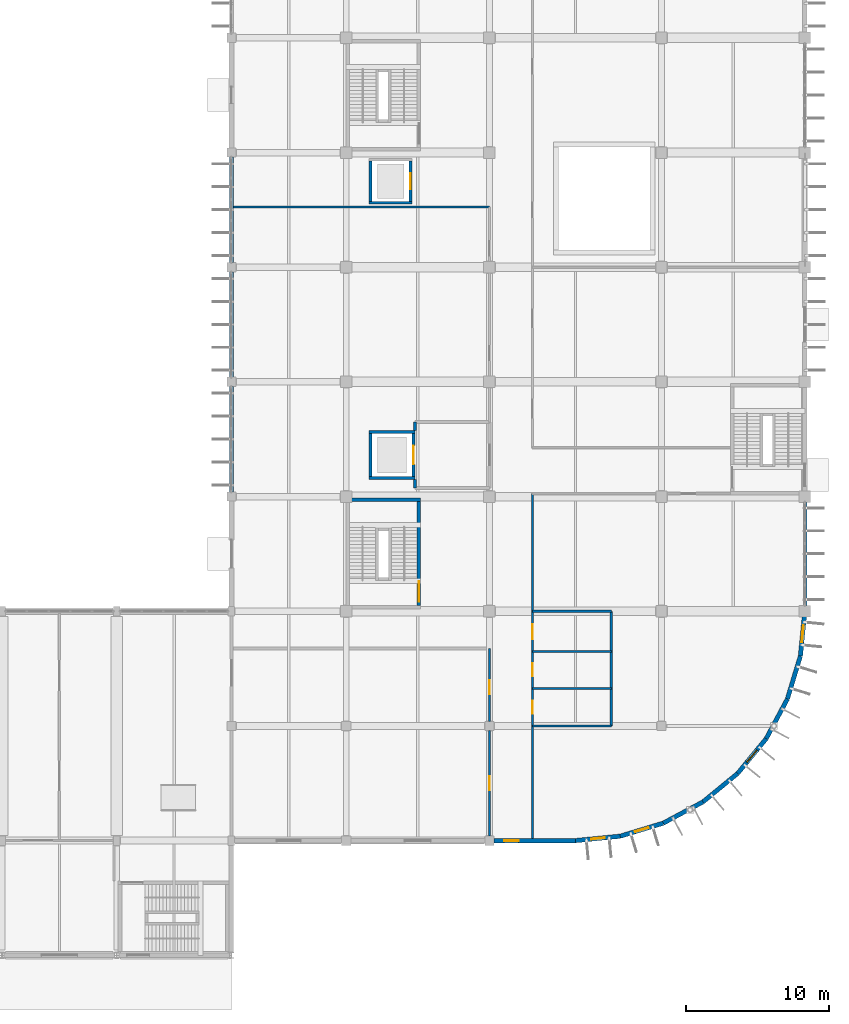
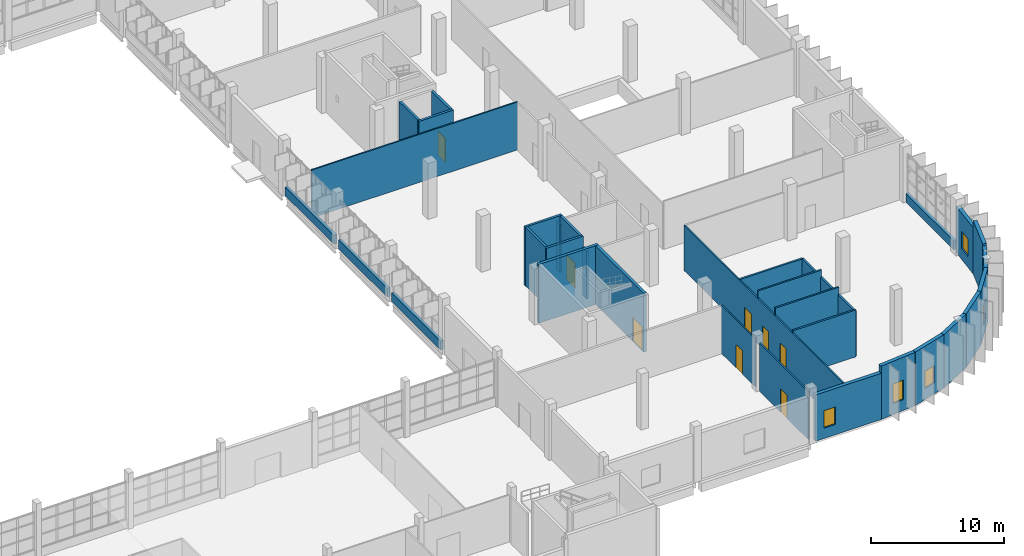
# One storey, part 80 of 103: 33 walls, 8 doors, 5 windows, 13 openings.
"""IFC4 building model written with IfcOpenShell, lengths in metres."""

from ifc_helpers import new_model, si_unit, direction, frame, frame_2d, origin, place, context, subcontext, project, spatial, rectangle, extrude, material, layer, layer_set, type_object, element, fill, save


model = new_model("IFC4")

# Units and contexts
model_context = context("Model", 3, precision=1e-05, world=origin(), true_north=direction((0.0, 1.0)))
body_context = subcontext(model_context, "Body", "Model", "MODEL_VIEW")
ifc_project = project(units=[si_unit("LENGTHUNIT", "METRE"), si_unit("AREAUNIT", "SQUARE_METRE"), si_unit("VOLUMEUNIT", "CUBIC_METRE"), si_unit("PLANEANGLEUNIT", "RADIAN"), si_unit("MASSUNIT", "GRAM", prefix="KILO")], contexts=[model_context])

# Site, building, storey
site_placement = place(None, origin())
site = spatial("IfcSite", under=ifc_project, at=site_placement, CompositionType="ELEMENT")
building_placement = place(site_placement, origin())
building = spatial("IfcBuilding", under=site, at=building_placement, Name="Drelvana Railside Aquatics Centre", CompositionType="ELEMENT")
storey_placement = place(building_placement, origin())
storey = spatial("IfcBuildingStorey", under=building, at=storey_placement, Name="L00", CompositionType="ELEMENT", Elevation=0.0)

# Walls
ifc_material_1 = material(Name="Concrete blockwork compartment wall", Category="masonry")
ifc_layer_1 = layer(ifc_material_1, 0.18505859375, Name="Concrete blockwork compartment wall")
ifc_layer_set_1 = layer_set([ifc_layer_1], Name="Concrete blockwork compartment wall")
wall_type_1 = type_object("IfcWallType", Name="WL-COMP-185", PredefinedType="STANDARD", material=ifc_layer_set_1)
for number, where, z_axis, x_axis, name in (
    (1, (156.800048828125, 32.60009765625, 0.0), (0.0, 0.0, 1.0), (0.0, 1.0, 0.0), "Firefighting lobby FL-01 SHS wall (L00)"),
    (2, (156.800048828125, 36.60009765625, 0.0), (0.0, 0.0, 1.0), (0.0, 1.0, 0.0), "Firefighting lobby FL-01 SHN wall (L00)"),
):
    element("IfcWall", number, at=place(storey_placement, frame(where, z_axis=z_axis, x_axis=x_axis)), inside=storey, type_object=wall_type_1, Name=name, PredefinedType="STANDARD", context=body_context, shape_type="SweptSolid", body=[
        extrude(rectangle(XDim=0.599853515625, YDim=0.18505859375, at=frame_2d((0.2998046875, 0.0))), origin(), (0.0, 0.0, 1.0), 4.405029296875),
    ])
ifc_material_2 = material(Name="Concrete C40/50", Category="concrete")
ifc_layer_2 = layer(ifc_material_2, 0.25, Name="Concrete C40/50")
ifc_layer_set_2 = layer_set([ifc_layer_2], Name="Concrete C40/50")
wall_type_2 = type_object("IfcWallType", Name="WL-CORE-250", PredefinedType="SHEAR", material=ifc_layer_set_2)
wall_1_placement = place(storey_placement, frame((152.0, 31.77490234375, 0.0), z_axis=(0.0, 0.0, 1.0), x_axis=(1.0, 0.0, 0.0)))
element("IfcWall", 3, at=wall_1_placement, inside=storey, type_object=wall_type_2, Name="Core 6 Federation Wing Court-West N core wall (L00)", PredefinedType="SHEAR", context=body_context, shape_type="SweptSolid", body=[
    extrude(rectangle(XDim=5.199951171875, YDim=0.25, at=frame_2d((2.60009765625, 0.0))), origin(), (0.0, 0.0, 1.0), 5.39990234375),
])

# Wall, opening, door
wall_2_placement = place(storey_placement, frame((157.074951171875, 24.409912109375, 0.0), z_axis=(0.0, 0.0, 1.0), x_axis=(0.0, 1.0, 0.0)))
wall_2 = element("IfcWall", 4, at=wall_2_placement, inside=storey, type_object=wall_type_2, Name="Core 6 Federation Wing Court-West E core wall (L00)", PredefinedType="SHEAR", context=body_context, shape_type="SweptSolid", body=[
    extrude(rectangle(XDim=7.239990234375, YDim=0.25, at=frame_2d((3.6201171875, 0.0))), origin(), (0.0, 0.0, 1.0), 5.39990234375),
])
opening_1_placement = place(wall_2_placement, frame((0.25, 0.0, 0.0)))
opening_1 = element("IfcOpeningElement", 5, at=opening_1_placement, cuts=wall_2, Name="Opening D-01-036", PredefinedType="OPENING", context=body_context, shape_type="SweptSolid", body=[
    extrude(rectangle(XDim=1.449951171875, YDim=2.199951171875, at=frame_2d((0.72509765625, 1.10009765625))), frame((0.0, 0.135009765625, 0.0), z_axis=(0.0, -1.0, 0.0), x_axis=(1.0, 0.0, 0.0)), (0.0, 0.0, 1.0), 0.27001953125),
])
ifc_material_3 = material(Name="Fire-rated steel and vision-panel door", Category="steel")
door_type_1 = type_object("IfcDoorType", Name="DR-INT-STAIR-1450x2200", OperationType="DOUBLE_DOOR_SINGLE_SWING", PredefinedType="DOOR", material=ifc_material_3)
door_1_placement = place(opening_1_placement, origin())
door_1 = element("IfcDoor", 6, at=door_1_placement, inside=storey, type_object=door_type_1, Name="Stair ST-06 lobby door D-01-036", OperationType="DOUBLE_DOOR_SINGLE_SWING", OverallHeight=2.199951171875, OverallWidth=1.449951171875, PredefinedType="DOOR", context=body_context, shape_type="SweptSolid", body=[
    extrude(rectangle(XDim=1.449951171875, YDim=2.199951171875, at=frame_2d((0.72509765625, 1.10009765625))), frame((0.0, 0.02490234375, 0.0), z_axis=(0.0, -1.0, 0.0), x_axis=(1.0, 0.0, 0.0)), (0.0, 0.0, 1.0), 0.050048828125),
])
fill(opening_1, door_1)

ifc_material_4 = material(Name="Acoustic twin-stud gypsum partition", Category="gypsum")
ifc_layer_3 = layer(ifc_material_4, 0.1201171875, Name="Acoustic twin-stud gypsum partition")
ifc_layer_set_3 = layer_set([ifc_layer_3], Name="Acoustic twin-stud gypsum partition")
wall_type_3 = type_object("IfcWallType", Name="WL-DRY-120", PredefinedType="PARTITIONING", material=ifc_layer_set_3)
wall_3_placement = place(storey_placement, frame((162.0, 8.326904296875, 0.0), z_axis=(0.0, 0.0, 1.0), x_axis=(0.0, 1.0, 0.0)))
wall_3 = element("IfcWall", 7, at=wall_3_placement, inside=storey, type_object=wall_type_3, Name="V5 L00 west corridor wall", PredefinedType="PARTITIONING", context=body_context, shape_type="SweptSolid", body=[
    extrude(rectangle(XDim=7.34619140625, YDim=0.1201171875, at=frame_2d((3.673095703125, 0.0))), origin(), (0.0, 0.0, 1.0), 4.405029296875),
])
opening_2_placement = place(wall_3_placement, frame((3.173095703125, 0.0, 0.0)))
opening_2 = element("IfcOpeningElement", 8, at=opening_2_placement, cuts=wall_3, Name="Opening D-09-192", PredefinedType="OPENING", context=body_context, shape_type="SweptSolid", body=[
    extrude(rectangle(XDim=1.0, YDim=2.14990234375, at=frame_2d((0.5, 1.074951171875))), frame((0.0, 0.070068359375, 0.0), z_axis=(0.0, -1.0, 0.0), x_axis=(1.0, 0.0, 0.0)), (0.0, 0.0, 1.0), 0.14013671875),
])
ifc_material_5 = material(Name="Hardwood acoustic room door", Category="wood")
door_type_2 = type_object("IfcDoorType", Name="DR-INT-ROOM-1000x2150", OperationType="NOTDEFINED", PredefinedType="DOOR", material=ifc_material_5)
door_2_placement = place(opening_2_placement, origin())
door_2 = element("IfcDoor", 9, at=door_2_placement, inside=storey, type_object=door_type_2, Name="Sports medicine reception south door D-09-192", OperationType="SINGLE_SWING_RIGHT", OverallHeight=2.14990234375, OverallWidth=1.0, PredefinedType="DOOR", context=body_context, shape_type="SweptSolid", body=[
    extrude(rectangle(XDim=1.0, YDim=2.14990234375, at=frame_2d((0.5, 1.074951171875))), frame((0.0, 0.02490234375, 0.0), z_axis=(0.0, -1.0, 0.0), x_axis=(1.0, 0.0, 0.0)), (0.0, 0.0, 1.0), 0.050048828125),
])
fill(opening_2, door_2)

wall_4_placement = place(storey_placement, frame((162.0, 16.326904296875, 0.0), z_axis=(0.0, 0.0, 1.0), x_axis=(0.0, 1.0, 0.0)))
wall_4 = element("IfcWall", 10, at=wall_4_placement, inside=storey, type_object=wall_type_3, Name="V5 L00 west corridor wall", PredefinedType="PARTITIONING", context=body_context, shape_type="SweptSolid", body=[
    extrude(rectangle(XDim=5.072998046875, YDim=0.1201171875, at=frame_2d((2.53662109375, 0.0))), origin(), (0.0, 0.0, 1.0), 4.405029296875),
])
opening_3_placement = place(wall_4_placement, frame((1.873046875, 0.0, 0.0)))
opening_3 = element("IfcOpeningElement", 11, at=opening_3_placement, cuts=wall_4, Name="Opening D-09-193", PredefinedType="OPENING", context=body_context, shape_type="SweptSolid", body=[
    extrude(rectangle(XDim=1.0, YDim=2.14990234375, at=frame_2d((0.5, 1.074951171875))), frame((0.0, 0.070068359375, 0.0), z_axis=(0.0, -1.0, 0.0), x_axis=(1.0, 0.0, 0.0)), (0.0, 0.0, 1.0), 0.14013671875),
])
door_3_placement = place(opening_3_placement, origin())
door_3 = element("IfcDoor", 12, at=door_3_placement, inside=storey, type_object=door_type_2, Name="Sports medicine reception north door D-09-193", OperationType="SINGLE_SWING_LEFT", OverallHeight=2.14990234375, OverallWidth=1.0, PredefinedType="DOOR", context=body_context, shape_type="SweptSolid", body=[
    extrude(rectangle(XDim=1.0, YDim=2.14990234375, at=frame_2d((0.5, 1.074951171875))), frame((0.0, 0.02490234375, 0.0), z_axis=(0.0, -1.0, 0.0), x_axis=(1.0, 0.0, 0.0)), (0.0, 0.0, 1.0), 0.050048828125),
])
fill(opening_3, door_3)

# Wall
wall_5_placement = place(storey_placement, frame((144.14990234375, 52.199951171875, 0.0), z_axis=(0.0, 0.0, 1.0), x_axis=(1.0, 0.0, 0.0)))
element("IfcWall", 13, at=wall_5_placement, inside=storey, type_object=wall_type_3, Name="V5 L00 LP-04 alcove S wall", PredefinedType="PARTITIONING", context=body_context, shape_type="SweptSolid", body=[
    extrude(rectangle(XDim=17.85009765625, YDim=0.1201171875, at=frame_2d((8.925048828125, 0.0))), origin(), (0.0, 0.0, 1.0), 4.405029296875),
])

# Wall, openings, doors
wall_6_placement = place(storey_placement, frame((165.0, 8.14990234375, 0.0), z_axis=(0.0, 0.0, 1.0), x_axis=(0.0, 1.0, 0.0)))
wall_6 = element("IfcWall", 14, at=wall_6_placement, inside=storey, type_object=wall_type_3, Name="V5 L00 east corridor wall", PredefinedType="PARTITIONING", context=body_context, shape_type="SweptSolid", body=[
    extrude(rectangle(XDim=24.050048828125, YDim=0.1201171875, at=frame_2d((12.02490234375, 0.0))), origin(), (0.0, 0.0, 1.0), 4.155029296875),
])
opening_4_placement = place(wall_6_placement, frame((8.699951171875, 0.0, 0.0)))
opening_4 = element("IfcOpeningElement", 15, at=opening_4_placement, cuts=wall_6, Name="Opening D-11-200", PredefinedType="OPENING", context=body_context, shape_type="SweptSolid", body=[
    extrude(rectangle(XDim=0.919921875, YDim=2.10009765625, at=frame_2d((0.4599609375, 1.050048828125))), frame((0.0, 0.070068359375, 0.0), z_axis=(0.0, -1.0, 0.0), x_axis=(1.0, 0.0, 0.0)), (0.0, 0.0, 1.0), 0.14013671875),
])
opening_5_placement = place(wall_6_placement, frame((11.300048828125, 0.0, 0.0)))
opening_5 = element("IfcOpeningElement", 16, at=opening_5_placement, cuts=wall_6, Name="Opening D-11-201", PredefinedType="OPENING", context=body_context, shape_type="SweptSolid", body=[
    extrude(rectangle(XDim=0.919921875, YDim=2.10009765625, at=frame_2d((0.4599609375, 1.050048828125))), frame((0.0, 0.070068359375, 0.0), z_axis=(0.0, -1.0, 0.0), x_axis=(1.0, 0.0, 0.0)), (0.0, 0.0, 1.0), 0.14013671875),
])
opening_6_placement = place(wall_6_placement, frame((13.89990234375, 0.0, 0.0)))
opening_6 = element("IfcOpeningElement", 17, at=opening_6_placement, cuts=wall_6, Name="Opening D-12-202", PredefinedType="OPENING", context=body_context, shape_type="SweptSolid", body=[
    extrude(rectangle(XDim=1.050048828125, YDim=2.14990234375, at=frame_2d((0.52490234375, 1.074951171875))), frame((0.0, 0.070068359375, 0.0), z_axis=(0.0, -1.0, 0.0), x_axis=(1.0, 0.0, 0.0)), (0.0, 0.0, 1.0), 0.14013671875),
])
ifc_material_6 = material(Name="Accessible toilet outward-opening door", Category="wood")
door_type_3 = type_object("IfcDoorType", Name="DR-INT-AWC-1050x2150", OperationType="NOTDEFINED", PredefinedType="DOOR", material=ifc_material_6)
door_4_placement = place(opening_6_placement, origin())
door_4 = element("IfcDoor", 18, at=door_4_placement, inside=storey, type_object=door_type_3, Name="L00 Accessible WC door D-12-202", OperationType="SINGLE_SWING_RIGHT", OverallHeight=2.14990234375, OverallWidth=1.050048828125, PredefinedType="DOOR", context=body_context, shape_type="SweptSolid", body=[
    extrude(rectangle(XDim=1.050048828125, YDim=2.14990234375, at=frame_2d((0.52490234375, 1.074951171875))), frame((0.0, 0.02490234375, 0.0), z_axis=(0.0, -1.0, 0.0), x_axis=(1.0, 0.0, 0.0)), (0.0, 0.0, 1.0), 0.050048828125),
])
fill(opening_6, door_4)
ifc_material_7 = material(Name="Moisture-resistant laminate WC door", Category="wood")
door_type_4 = type_object("IfcDoorType", Name="DR-INT-WC-920x2100", OperationType="NOTDEFINED", PredefinedType="DOOR", material=ifc_material_7)
door_5_placement = place(opening_4_placement, origin())
door_5 = element("IfcDoor", 19, at=door_5_placement, inside=storey, type_object=door_type_4, Name="L00 Male WC door D-11-200", OperationType="SINGLE_SWING_RIGHT", OverallHeight=2.10009765625, OverallWidth=0.919921875, PredefinedType="DOOR", context=body_context, shape_type="SweptSolid", body=[
    extrude(rectangle(XDim=0.919921875, YDim=2.10009765625, at=frame_2d((0.4599609375, 1.050048828125))), frame((0.0, 0.02490234375, 0.0), z_axis=(0.0, -1.0, 0.0), x_axis=(1.0, 0.0, 0.0)), (0.0, 0.0, 1.0), 0.050048828125),
])
fill(opening_4, door_5)
door_6_placement = place(opening_5_placement, origin())
door_6 = element("IfcDoor", 20, at=door_6_placement, inside=storey, type_object=door_type_4, Name="L00 Female WC door D-11-201", OperationType="SINGLE_SWING_LEFT", OverallHeight=2.10009765625, OverallWidth=0.919921875, PredefinedType="DOOR", context=body_context, shape_type="SweptSolid", body=[
    extrude(rectangle(XDim=0.919921875, YDim=2.10009765625, at=frame_2d((0.4599609375, 1.050048828125))), frame((0.0, 0.02490234375, 0.0), z_axis=(0.0, -1.0, 0.0), x_axis=(1.0, 0.0, 0.0)), (0.0, 0.0, 1.0), 0.050048828125),
])
fill(opening_5, door_6)

# Walls
ifc_material_8 = material(Name="Glazed ceramic spandrel wall", Category="masonry")
ifc_layer_4 = layer(ifc_material_8, 0.27001953125, Name="Glazed ceramic spandrel wall")
ifc_layer_set_4 = layer_set([ifc_layer_4], Name="Glazed ceramic spandrel wall")
wall_type_4 = type_object("IfcWallType", Name="WL-EXT-270", PredefinedType="STANDARD", material=ifc_layer_set_4)
for number, where, z_axis, x_axis, name in (
    (21, (144.0, 32.321044921875, 0.0), (0.0, 0.0, 1.0), (0.0, 1.0, 0.0), "V5 West L00 sill spandrel"),
    (22, (144.0, 40.321044921875, 0.0), (0.0, 0.0, 1.0), (0.0, 1.0, 0.0), "V5 West L00 sill spandrel"),
    (23, (144.0, 48.321044921875, 0.0), (0.0, 0.0, 1.0), (0.0, 1.0, 0.0), "V5 West L00 sill spandrel"),
):
    element("IfcWall", number, at=place(storey_placement, frame(where, z_axis=z_axis, x_axis=x_axis)), inside=storey, type_object=wall_type_4, Name=name, PredefinedType="STANDARD", context=body_context, shape_type="SweptSolid", body=[
        extrude(rectangle(XDim=7.35791015625, YDim=0.27001953125, at=frame_2d((3.678955078125, 0.0))), origin(), (0.0, 0.0, 1.0), 0.800048828125),
    ])
wall_7_placement = place(storey_placement, frame((184.0, 24.39599609375, 0.0), z_axis=(0.0, 0.0, 1.0), x_axis=(0.0, 1.0, 0.0)))
element("IfcWall", 24, at=wall_7_placement, inside=storey, type_object=wall_type_4, Name="V5 East L00 sill spandrel", PredefinedType="STANDARD", context=body_context, shape_type="SweptSolid", body=[
    extrude(rectangle(XDim=7.2080078125, YDim=0.27001953125, at=frame_2d((3.60400390625, 0.0))), origin(), (0.0, 0.0, 1.0), 0.800048828125),
])

# Wall, opening, window
ifc_material_9 = material(Name="Terracotta rainscreen masonry wall", Category="masonry")
ifc_layer_5 = layer(ifc_material_9, 0.31005859375, Name="Terracotta rainscreen masonry wall")
ifc_layer_set_5 = layer_set([ifc_layer_5], Name="Terracotta rainscreen masonry wall")
wall_type_5 = type_object("IfcWallType", Name="WL-EXT-310", PredefinedType="STANDARD", material=ifc_layer_set_5)
wall_8_placement = place(storey_placement, frame((168.0, 8.0, 0.0), z_axis=(0.0, 0.0, 1.0), x_axis=(0.995186340733, 0.098000751113, 0.0)))
wall_8 = element("IfcWall", 25, at=wall_8_placement, inside=storey, type_object=wall_type_5, Name="V5SE curved wall 1", PredefinedType="STANDARD", context=body_context, shape_type="SweptSolid", body=[
    extrude(rectangle(XDim=3.136474609375, YDim=0.31005859375, at=frame_2d((1.568359375, 0.0))), origin(), (0.0, 0.0, 1.0), 4.89990234375),
])
opening_7_placement = place(wall_8_placement, frame((1.09326171875, 0.0, 1.0)))
opening_7 = element("IfcOpeningElement", 26, at=opening_7_placement, cuts=wall_8, Name="Opening W-03", PredefinedType="OPENING", context=body_context, shape_type="SweptSolid", body=[
    extrude(rectangle(XDim=0.949951171875, YDim=1.800048828125, at=frame_2d((0.47509765625, 0.89990234375))), frame((0.0, 0.1650390625, 0.0), z_axis=(0.0, -1.0, 0.0), x_axis=(1.0, 0.0, 0.0)), (0.0, 0.0, 1.0), 0.330078125),
])
ifc_material_10 = material(Name="Double-glazed solar-control aluminium window", Category="aluminium")
window_type_1 = type_object("IfcWindowType", Name="WIN-03", PartitioningType="SINGLE_PANEL", PredefinedType="WINDOW", material=ifc_material_10)
window_1_placement = place(opening_7_placement, origin())
window_1 = element("IfcWindow", 27, at=window_1_placement, inside=storey, type_object=window_type_1, Name="V5SE curved window WIN-03", OverallHeight=1.800048828125, OverallWidth=0.949951171875, PartitioningType="SINGLE_PANEL", PredefinedType="WINDOW", context=body_context, shape_type="SweptSolid", body=[
    extrude(rectangle(XDim=0.949951171875, YDim=1.800048828125, at=frame_2d((0.47509765625, 0.89990234375))), frame((0.0, 0.030029296875, 0.0), z_axis=(0.0, -1.0, 0.0), x_axis=(1.0, 0.0, 0.0)), (0.0, 0.0, 1.0), 0.06005859375),
])
fill(opening_7, window_1)

wall_9_placement = place(storey_placement, frame((171.121337890625, 8.307373046875, 0.0), z_axis=(0.0, 0.0, 1.0), x_axis=(0.956932713703, 0.29030980253, 0.0)))
wall_9 = element("IfcWall", 28, at=wall_9_placement, inside=storey, type_object=wall_type_5, Name="V5SE curved wall 2", PredefinedType="STANDARD", context=body_context, shape_type="SweptSolid", body=[
    extrude(rectangle(XDim=3.13671875, YDim=0.31005859375, at=frame_2d((1.568359375, 0.0))), origin(), (0.0, 0.0, 1.0), 4.89990234375),
])
opening_8_placement = place(wall_9_placement, frame((1.068359375, 0.0, 1.0)))
opening_8 = element("IfcOpeningElement", 29, at=opening_8_placement, cuts=wall_9, Name="Opening W-04", PredefinedType="OPENING", context=body_context, shape_type="SweptSolid", body=[
    extrude(rectangle(XDim=1.0, YDim=1.60009765625, at=frame_2d((0.5, 0.800048828125))), frame((0.0, 0.1650390625, 0.0), z_axis=(0.0, -1.0, 0.0), x_axis=(1.0, 0.0, 0.0)), (0.0, 0.0, 1.0), 0.330078125),
])
window_type_2 = type_object("IfcWindowType", Name="WIN-04", PartitioningType="SINGLE_PANEL", PredefinedType="WINDOW", material=ifc_material_10)
window_2_placement = place(opening_8_placement, origin())
window_2 = element("IfcWindow", 30, at=window_2_placement, inside=storey, type_object=window_type_2, Name="V5SE curved window WIN-04", OverallHeight=1.60009765625, OverallWidth=1.0, PartitioningType="SINGLE_PANEL", PredefinedType="WINDOW", context=body_context, shape_type="SweptSolid", body=[
    extrude(rectangle(XDim=1.0, YDim=1.60009765625, at=frame_2d((0.5, 0.800048828125))), frame((0.0, 0.030029296875, 0.0), z_axis=(0.0, -1.0, 0.0), x_axis=(1.0, 0.0, 0.0)), (0.0, 0.0, 1.0), 0.06005859375),
])
fill(opening_8, window_2)

# Walls
for number, where, z_axis, x_axis, name in (
    (31, (174.123046875, 9.218017578125, 0.0), (0.0, 0.0, 1.0), (0.881921625826, 0.471396060548, 0.0), "V5SE curved wall 3"),
    (32, (176.88916015625, 10.696533203125, 0.0), (0.0, 0.0, 1.0), (0.773016601683, 0.634385792339, 0.0), "V5SE curved wall 4"),
):
    element("IfcWall", number, at=place(storey_placement, frame(where, z_axis=z_axis, x_axis=x_axis)), inside=storey, type_object=wall_type_5, Name=name, PredefinedType="STANDARD", context=body_context, shape_type="SweptSolid", body=[
        extrude(rectangle(XDim=3.136474609375, YDim=0.31005859375, at=frame_2d((1.568359375, 0.0))), origin(), (0.0, 0.0, 1.0), 4.89990234375),
    ])

# Wall, opening, window
wall_10_placement = place(storey_placement, frame((179.313720703125, 12.686279296875, 0.0), z_axis=(0.0, 0.0, 1.0), x_axis=(0.634385792339, 0.773016601683, 0.0)))
wall_10 = element("IfcWall", 33, at=wall_10_placement, inside=storey, type_object=wall_type_5, Name="V5SE curved wall 5", PredefinedType="STANDARD", context=body_context, shape_type="SweptSolid", body=[
    extrude(rectangle(XDim=3.136474609375, YDim=0.31005859375, at=frame_2d((1.568359375, 0.0))), origin(), (0.0, 0.0, 1.0), 4.89990234375),
])
opening_9_placement = place(wall_10_placement, frame((1.018310546875, 0.0, 1.0)))
opening_9 = element("IfcOpeningElement", 34, at=opening_9_placement, cuts=wall_10, Name="Opening W-07", PredefinedType="OPENING", context=body_context, shape_type="SweptSolid", body=[
    extrude(rectangle(XDim=1.10009765625, YDim=1.85009765625, at=frame_2d((0.550048828125, 0.925048828125))), frame((0.0, 0.1650390625, 0.0), z_axis=(0.0, -1.0, 0.0), x_axis=(1.0, 0.0, 0.0)), (0.0, 0.0, 1.0), 0.330078125),
])
window_type_3 = type_object("IfcWindowType", Name="WIN-07", PartitioningType="SINGLE_PANEL", PredefinedType="WINDOW", material=ifc_material_10)
window_3_placement = place(opening_9_placement, origin())
window_3 = element("IfcWindow", 35, at=window_3_placement, inside=storey, type_object=window_type_3, Name="V5SE curved window WIN-07", OverallHeight=1.85009765625, OverallWidth=1.10009765625, PartitioningType="SINGLE_PANEL", PredefinedType="WINDOW", context=body_context, shape_type="SweptSolid", body=[
    extrude(rectangle(XDim=1.10009765625, YDim=1.85009765625, at=frame_2d((0.550048828125, 0.925048828125))), frame((0.0, 0.030029296875, 0.0), z_axis=(0.0, -1.0, 0.0), x_axis=(1.0, 0.0, 0.0)), (0.0, 0.0, 1.0), 0.06005859375),
])
fill(opening_9, window_3)

# Walls
wall_11_placement = place(storey_placement, frame((181.303466796875, 15.11083984375, 0.0), z_axis=(0.0, 0.0, 1.0), x_axis=(0.471396060548, 0.881921625826, 0.0)))
element("IfcWall", 36, at=wall_11_placement, inside=storey, type_object=wall_type_5, Name="V5SE curved wall 6", PredefinedType="STANDARD", context=body_context, shape_type="SweptSolid", body=[
    extrude(rectangle(XDim=3.136474609375, YDim=0.31005859375, at=frame_2d((1.568359375, 0.0))), origin(), (0.0, 0.0, 1.0), 4.705078125),
])
wall_12_placement = place(storey_placement, frame((182.781982421875, 17.876953125, 0.0), z_axis=(0.0, 0.0, 1.0), x_axis=(0.29030980253, 0.956932713703, 0.0)))
element("IfcWall", 37, at=wall_12_placement, inside=storey, type_object=wall_type_5, Name="V5SE curved wall 7", PredefinedType="STANDARD", context=body_context, shape_type="SweptSolid", body=[
    extrude(rectangle(XDim=3.13671875, YDim=0.31005859375, at=frame_2d((1.568359375, 0.0))), origin(), (0.0, 0.0, 1.0), 4.89990234375),
])

# Wall, opening, window
wall_13_placement = place(storey_placement, frame((183.692626953125, 20.878662109375, 0.0), z_axis=(0.0, 0.0, 1.0), x_axis=(0.098000751113, 0.995186340733, 0.0)))
wall_13 = element("IfcWall", 38, at=wall_13_placement, inside=storey, type_object=wall_type_5, Name="V5SE curved wall 8", PredefinedType="STANDARD", context=body_context, shape_type="SweptSolid", body=[
    extrude(rectangle(XDim=3.136474609375, YDim=0.31005859375, at=frame_2d((1.568359375, 0.0))), origin(), (0.0, 0.0, 1.0), 4.2548828125),
])
opening_10_placement = place(wall_13_placement, frame((0.96826171875, 0.0, 1.0)))
opening_10 = element("IfcOpeningElement", 39, at=opening_10_placement, cuts=wall_13, Name="Opening W-10", PredefinedType="OPENING", context=body_context, shape_type="SweptSolid", body=[
    extrude(rectangle(XDim=1.199951171875, YDim=1.60009765625, at=frame_2d((0.60009765625, 0.800048828125))), frame((0.0, 0.1650390625, 0.0), z_axis=(0.0, -1.0, 0.0), x_axis=(1.0, 0.0, 0.0)), (0.0, 0.0, 1.0), 0.330078125),
])
window_type_4 = type_object("IfcWindowType", Name="WIN-10", PartitioningType="SINGLE_PANEL", PredefinedType="WINDOW", material=ifc_material_10)
window_4_placement = place(opening_10_placement, origin())
window_4 = element("IfcWindow", 40, at=window_4_placement, inside=storey, type_object=window_type_4, Name="V5SE curved window WIN-10", OverallHeight=1.60009765625, OverallWidth=1.199951171875, PartitioningType="SINGLE_PANEL", PredefinedType="WINDOW", context=body_context, shape_type="SweptSolid", body=[
    extrude(rectangle(XDim=1.199951171875, YDim=1.60009765625, at=frame_2d((0.60009765625, 0.800048828125))), frame((0.0, 0.030029296875, 0.0), z_axis=(0.0, -1.0, 0.0), x_axis=(1.0, 0.0, 0.0)), (0.0, 0.0, 1.0), 0.06005859375),
])
fill(opening_10, window_4)

wall_14_placement = place(storey_placement, frame((162.321044921875, 8.0, 0.0), z_axis=(0.0, 0.0, 1.0), x_axis=(1.0, 0.0, 0.0)))
wall_14 = element("IfcWall", 41, at=wall_14_placement, inside=storey, type_object=wall_type_5, Name="V5 L00 end bay wall", PredefinedType="STANDARD", context=body_context, shape_type="SweptSolid", body=[
    extrude(rectangle(XDim=5.698974609375, YDim=0.31005859375, at=frame_2d((2.849609375, 0.0))), origin(), (0.0, 0.0, 1.0), 4.25),
])
opening_11_placement = place(wall_14_placement, frame((0.708984375, 0.0, 0.949951171875)))
opening_11 = element("IfcOpeningElement", 42, at=opening_11_placement, cuts=wall_14, Name="Opening W-04", PredefinedType="OPENING", context=body_context, shape_type="SweptSolid", body=[
    extrude(rectangle(XDim=1.0, YDim=1.60009765625, at=frame_2d((0.5, 0.800048828125))), frame((0.0, 0.1650390625, 0.0), z_axis=(0.0, -1.0, 0.0), x_axis=(1.0, 0.0, 0.0)), (0.0, 0.0, 1.0), 0.330078125),
])
window_5_placement = place(opening_11_placement, origin())
window_5 = element("IfcWindow", 43, at=window_5_placement, inside=storey, type_object=window_type_2, Name="V5 L00 end window WIN-04", OverallHeight=1.60009765625, OverallWidth=1.0, PartitioningType="SINGLE_PANEL", PredefinedType="WINDOW", context=body_context, shape_type="SweptSolid", body=[
    extrude(rectangle(XDim=1.0, YDim=1.60009765625, at=frame_2d((0.5, 0.800048828125))), frame((0.0, 0.030029296875, 0.0), z_axis=(0.0, -1.0, 0.0), x_axis=(1.0, 0.0, 0.0)), (0.0, 0.0, 1.0), 0.06005859375),
])
fill(opening_11, window_5)

# Walls
ifc_layer_6 = layer(ifc_material_2, 0.199951171875, Name="Concrete C40/50")
ifc_layer_set_6 = layer_set([ifc_layer_6], Name="Concrete C40/50")
wall_type_6 = type_object("IfcWallType", Name="WL-SHFT-200", PredefinedType="SHEAR", material=ifc_layer_set_6)
for number, where, z_axis, x_axis, name in (
    (44, (153.60009765625, 33.300048828125, 0.0), (0.0, 0.0, 1.0), (1.0, 0.0, 0.0), "Lift FL-01 S shaft wall (L00)"),
    (45, (153.60009765625, 36.5, 0.0), (0.0, 0.0, 1.0), (1.0, 0.0, 0.0), "Lift FL-01 N shaft wall (L00)"),
):
    element("IfcWall", number, at=place(storey_placement, frame(where, z_axis=z_axis, x_axis=x_axis)), inside=storey, type_object=wall_type_6, Name=name, PredefinedType="SHEAR", context=body_context, shape_type="SweptSolid", body=[
        extrude(rectangle(XDim=3.199951171875, YDim=0.199951171875, at=frame_2d((1.60009765625, 0.0))), origin(), (0.0, 0.0, 1.0), 5.39990234375),
    ])
wall_15_placement = place(storey_placement, frame((153.699951171875, 33.39990234375, 0.0), z_axis=(0.0, 0.0, 1.0), x_axis=(0.0, 1.0, 0.0)))
element("IfcWall", 46, at=wall_15_placement, inside=storey, type_object=wall_type_6, Name="Lift FL-01 W shaft wall (L00)", PredefinedType="SHEAR", context=body_context, shape_type="SweptSolid", body=[
    extrude(rectangle(XDim=3.0, YDim=0.199951171875, at=frame_2d((1.5, 0.0))), origin(), (0.0, 0.0, 1.0), 5.39990234375),
])

# Wall, opening, door
wall_16_placement = place(storey_placement, frame((156.699951171875, 33.39990234375, 0.0), z_axis=(0.0, 0.0, 1.0), x_axis=(0.0, 1.0, 0.0)))
wall_16 = element("IfcWall", 47, at=wall_16_placement, inside=storey, type_object=wall_type_6, Name="Lift FL-01 E shaft wall (L00)", PredefinedType="SHEAR", context=body_context, shape_type="SweptSolid", body=[
    extrude(rectangle(XDim=3.0, YDim=0.199951171875, at=frame_2d((1.5, 0.0))), origin(), (0.0, 0.0, 1.0), 5.39990234375),
])
opening_12_placement = place(wall_16_placement, frame((0.85009765625, 0.0, 0.0)))
opening_12 = element("IfcOpeningElement", 48, at=opening_12_placement, cuts=wall_16, Name="Opening LD-02-043", PredefinedType="OPENING", context=body_context, shape_type="SweptSolid", body=[
    extrude(rectangle(XDim=1.300048828125, YDim=2.300048828125, at=frame_2d((0.64990234375, 1.14990234375))), frame((0.0, 0.10986328125, 0.0), z_axis=(0.0, -1.0, 0.0), x_axis=(1.0, 0.0, 0.0)), (0.0, 0.0, 1.0), 0.219970703125),
])
ifc_material_11 = material(Name="Firefighting & goods lift sliding door", Category="wood")
door_type_5 = type_object("IfcDoorType", Name="DR-LIFT-LD-1300x2300", OperationType="SLIDING_TO_RIGHT", PredefinedType="DOOR", material=ifc_material_11)
door_7_placement = place(opening_12_placement, origin())
door_7 = element("IfcDoor", 49, at=door_7_placement, inside=storey, type_object=door_type_5, Name="Lift FL-01 landing door LD-02-043", OperationType="SLIDING_TO_RIGHT", OverallHeight=2.300048828125, OverallWidth=1.300048828125, PredefinedType="DOOR", context=body_context, shape_type="SweptSolid", body=[
    extrude(rectangle(XDim=1.300048828125, YDim=2.300048828125, at=frame_2d((0.64990234375, 1.14990234375))), frame((0.0, 0.02490234375, 0.0), z_axis=(0.0, -1.0, 0.0), x_axis=(1.0, 0.0, 0.0)), (0.0, 0.0, 1.0), 0.050048828125),
])
fill(opening_12, door_7)

# Walls
wall_17_placement = place(storey_placement, frame((153.60009765625, 52.5, 0.0), z_axis=(0.0, 0.0, 1.0), x_axis=(1.0, 0.0, 0.0)))
element("IfcWall", 50, at=wall_17_placement, inside=storey, type_object=wall_type_6, Name="Lift LP-04 S shaft wall (L00)", PredefinedType="SHEAR", context=body_context, shape_type="SweptSolid", body=[
    extrude(rectangle(XDim=3.0, YDim=0.199951171875, at=frame_2d((1.5, 0.0))), origin(), (0.0, 0.0, 1.0), 5.39990234375),
])
wall_18_placement = place(storey_placement, frame((153.699951171875, 52.60009765625, 0.0), z_axis=(0.0, 0.0, 1.0), x_axis=(0.0, 1.0, 0.0)))
element("IfcWall", 51, at=wall_18_placement, inside=storey, type_object=wall_type_6, Name="Lift LP-04 W shaft wall (L00)", PredefinedType="SHEAR", context=body_context, shape_type="SweptSolid", body=[
    extrude(rectangle(XDim=2.7998046875, YDim=0.199951171875, at=frame_2d((1.39990234375, 0.0))), origin(), (0.0, 0.0, 1.0), 5.39990234375),
])

# Wall, opening, door
wall_19_placement = place(storey_placement, frame((156.5, 52.60009765625, 0.0), z_axis=(0.0, 0.0, 1.0), x_axis=(0.0, 1.0, 0.0)))
wall_19 = element("IfcWall", 52, at=wall_19_placement, inside=storey, type_object=wall_type_6, Name="Lift LP-04 E shaft wall (L00)", PredefinedType="SHEAR", context=body_context, shape_type="SweptSolid", body=[
    extrude(rectangle(XDim=2.7998046875, YDim=0.199951171875, at=frame_2d((1.39990234375, 0.0))), origin(), (0.0, 0.0, 1.0), 5.39990234375),
])
opening_13_placement = place(wall_19_placement, frame((0.85009765625, 0.0, 0.0)))
opening_13 = element("IfcOpeningElement", 53, at=opening_13_placement, cuts=wall_19, Name="Opening LD-01-078", PredefinedType="OPENING", context=body_context, shape_type="SweptSolid", body=[
    extrude(rectangle(XDim=1.10009765625, YDim=2.199951171875, at=frame_2d((0.550048828125, 1.10009765625))), frame((0.0, 0.10986328125, 0.0), z_axis=(0.0, -1.0, 0.0), x_axis=(1.0, 0.0, 0.0)), (0.0, 0.0, 1.0), 0.219970703125),
])
ifc_material_12 = material(Name="Stainless steel lift landing sliding door", Category="steel")
door_type_6 = type_object("IfcDoorType", Name="DR-LIFT-LD-1100x2200", OperationType="SLIDING_TO_LEFT", PredefinedType="DOOR", material=ifc_material_12)
door_8_placement = place(opening_13_placement, origin())
door_8 = element("IfcDoor", 54, at=door_8_placement, inside=storey, type_object=door_type_6, Name="Lift LP-04 landing door LD-01-078", OperationType="SLIDING_TO_LEFT", OverallHeight=2.199951171875, OverallWidth=1.10009765625, PredefinedType="DOOR", context=body_context, shape_type="SweptSolid", body=[
    extrude(rectangle(XDim=1.10009765625, YDim=2.199951171875, at=frame_2d((0.550048828125, 1.10009765625))), frame((0.0, 0.02490234375, 0.0), z_axis=(0.0, -1.0, 0.0), x_axis=(1.0, 0.0, 0.0)), (0.0, 0.0, 1.0), 0.050048828125),
])
fill(opening_13, door_8)

# Walls
ifc_material_13 = material(Name="Moisture-resistant tiled plumbing chase wall", Category="masonry")
ifc_layer_7 = layer(ifc_material_13, 0.139892578125, Name="Moisture-resistant tiled plumbing chase wall")
ifc_layer_set_7 = layer_set([ifc_layer_7], Name="Moisture-resistant tiled plumbing chase wall")
wall_type_7 = type_object("IfcWallType", Name="WL-WET-140", PredefinedType="PLUMBINGWALL", material=ifc_layer_set_7)
for number, where, z_axis, x_axis, name in (
    (55, (165.0, 18.60009765625, 0.0), (0.0, 0.0, 1.0), (1.0, 0.0, 0.0), "L00 WC divider 1"),
    (56, (165.0, 21.199951171875, 0.0), (0.0, 0.0, 1.0), (1.0, 0.0, 0.0), "L00 WC divider 2"),
):
    element("IfcWall", number, at=place(storey_placement, frame(where, z_axis=z_axis, x_axis=x_axis)), inside=storey, type_object=wall_type_7, Name=name, PredefinedType="PLUMBINGWALL", context=body_context, shape_type="SweptSolid", body=[
        extrude(rectangle(XDim=5.5, YDim=0.139892578125, at=frame_2d((2.75, 0.0))), origin(), (0.0, 0.0, 1.0), 4.804931640625),
    ])
ifc_material_14 = material(Name="Water-resistant ceramic-tiled block partition", Category="masonry")
ifc_layer_8 = layer(ifc_material_14, 0.159912109375, Name="Water-resistant ceramic-tiled block partition")
ifc_layer_set_8 = layer_set([ifc_layer_8], Name="Water-resistant ceramic-tiled block partition")
wall_type_8 = type_object("IfcWallType", Name="WL-WET-160", PredefinedType="PARTITIONING", material=ifc_layer_set_8)
wall_20_placement = place(storey_placement, frame((170.5, 16.0, 0.0), z_axis=(0.0, 0.0, 1.0), x_axis=(0.0, 1.0, 0.0)))
element("IfcWall", 57, at=wall_20_placement, inside=storey, type_object=wall_type_8, Name="L00 WC back wall", PredefinedType="PARTITIONING", context=body_context, shape_type="SweptSolid", body=[
    extrude(rectangle(XDim=8.0, YDim=0.159912109375, at=frame_2d((4.0, 0.0))), origin(), (0.0, 0.0, 1.0), 4.155029296875),
])
wall_21_placement = place(storey_placement, frame((165.0, 16.0, 0.0), z_axis=(0.0, 0.0, 1.0), x_axis=(1.0, 0.0, 0.0)))
element("IfcWall", 58, at=wall_21_placement, inside=storey, type_object=wall_type_8, Name="L00 WC south wall", PredefinedType="PARTITIONING", context=body_context, shape_type="SweptSolid", body=[
    extrude(rectangle(XDim=5.5, YDim=0.159912109375, at=frame_2d((2.75, 0.0))), origin(), (0.0, 0.0, 1.0), 4.304931640625),
])
wall_22_placement = place(storey_placement, frame((165.0, 24.0, 0.0), z_axis=(0.0, 0.0, 1.0), x_axis=(1.0, 0.0, 0.0)))
element("IfcWall", 59, at=wall_22_placement, inside=storey, type_object=wall_type_8, Name="L00 WC north wall", PredefinedType="PARTITIONING", context=body_context, shape_type="SweptSolid", body=[
    extrude(rectangle(XDim=5.5, YDim=0.159912109375, at=frame_2d((2.75, 0.0))), origin(), (0.0, 0.0, 1.0), 4.155029296875),
])

save(model, "model.ifc")
